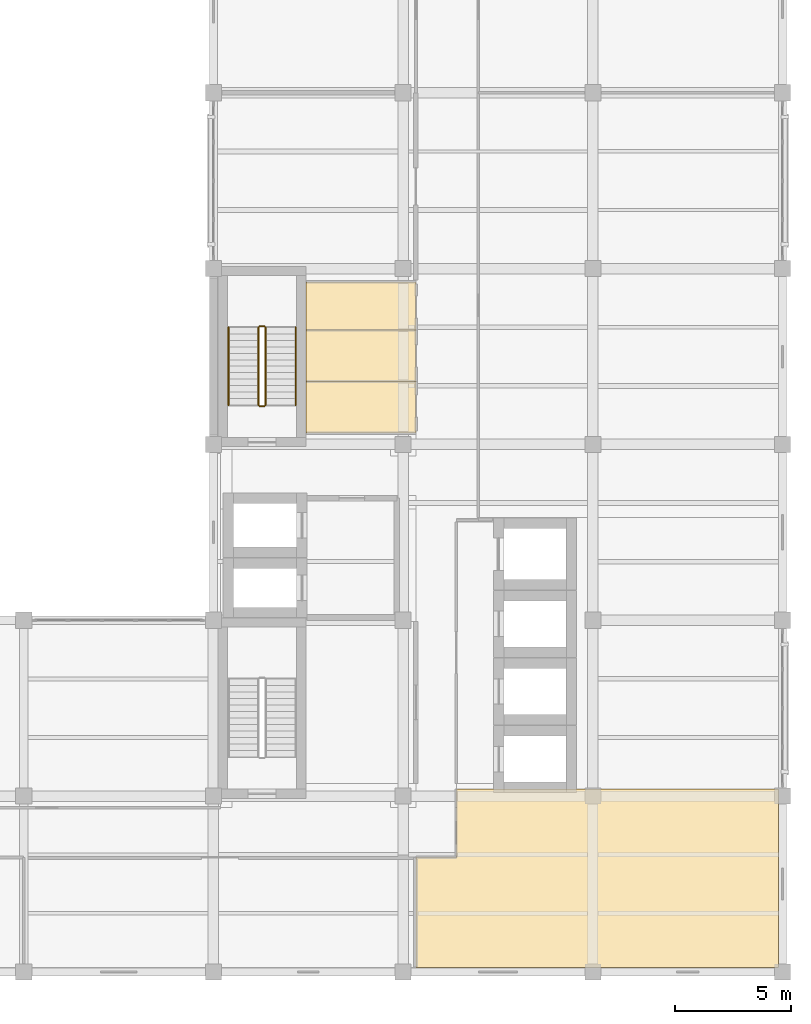
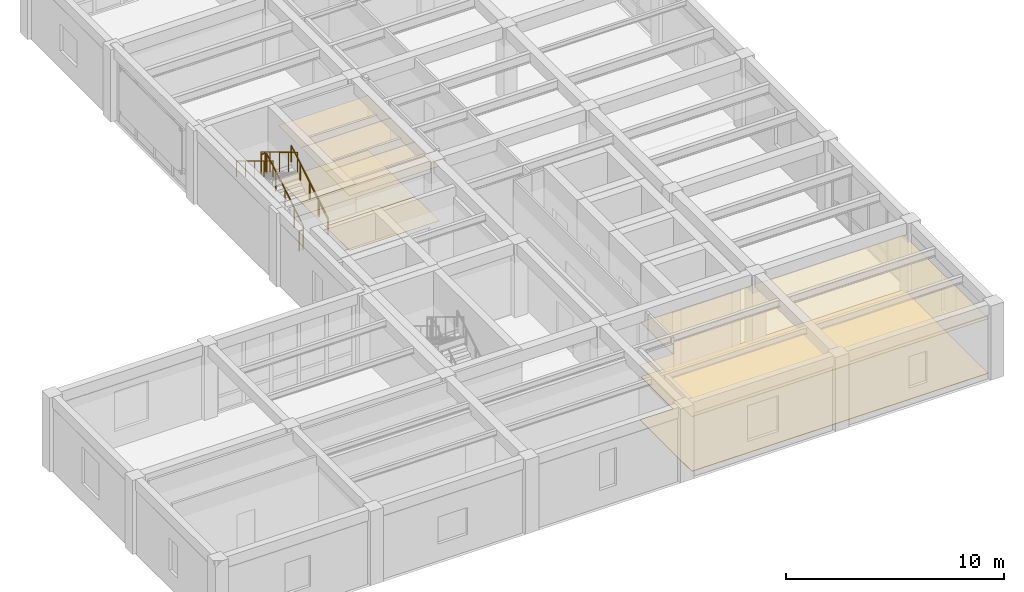
# One storey, part 12 of 13: 8 coverings, 6 railings.
"""IFC4 building model written with IfcOpenShell, lengths in metres."""

from ifc_helpers import new_model, si_unit, direction, frame, origin, origin_2d, place, context, subcontext, project, spatial, polyline, circle, outline, extrude, material, layer, layer_set, type_object, element, save


model = new_model("IFC4")

# Units and contexts
model_context = context("Model", 3, precision=1e-05, world=origin(), true_north=direction((0.0, 1.0)))
body_context = subcontext(model_context, "Body", "Model", "MODEL_VIEW")
ifc_project = project(units=[si_unit("LENGTHUNIT", "METRE"), si_unit("AREAUNIT", "SQUARE_METRE"), si_unit("VOLUMEUNIT", "CUBIC_METRE"), si_unit("PLANEANGLEUNIT", "RADIAN"), si_unit("MASSUNIT", "GRAM", prefix="KILO")], contexts=[model_context])

# Site, building, storey
site_placement = place(None, origin())
site = spatial("IfcSite", under=ifc_project, at=site_placement, CompositionType="ELEMENT")
building_placement = place(site_placement, origin())
building = spatial("IfcBuilding", under=site, at=building_placement, Name="Qandaris Square Conservatory and Botanical Centre", CompositionType="ELEMENT")
storey_placement = place(building_placement, frame((0.0, 0.0, 61.800048828125)))
storey = spatial("IfcBuildingStorey", under=building, at=storey_placement, Name="L14", CompositionType="ELEMENT", Elevation=61.800048828125)

# Coverings
ifc_material_1 = material(Name="Honed Qatari Limestone", Category="masonry")
ifc_layer_1 = layer(ifc_material_1, 0.030029296875)
ifc_layer_set_1 = layer_set([ifc_layer_1], Name="Honed Qatari Limestone")
covering_type_1 = type_object("IfcCoveringType", Name="Honed Qatari Limestone Concourse Paving", PredefinedType="FLOORING", material=ifc_layer_set_1)
covering_1_placement = place(storey_placement, origin())
element("IfcCovering", 1, at=covering_1_placement, inside=storey, type_object=covering_type_1, Name="Floor L14 Instrument and Balance Room Flooring", PredefinedType="FLOORING", context=body_context, shape_type="SweptSolid", body=[
    extrude(outline(polyline([(147.949951171875, 21.550048828125), (149.699951171875, 21.550048828125), (149.699951171875, 23.699951171875), (149.699951171875, 24.5), (163.6201171875, 24.5), (163.6201171875, 16.780029296875), (147.949951171875, 16.780029296875), (147.949951171875, 21.550048828125)])), origin(), (0.0, 0.0, 1.0), 0.030029296875),
])
ifc_material_2 = material(Name="Gypsum Plasterboard", Category="gypsum")
ifc_layer_2 = layer(ifc_material_2, 0.02490234375)
ifc_layer_set_2 = layer_set([ifc_layer_2], Name="Gypsum Plasterboard")
covering_type_2 = type_object("IfcCoveringType", Name="Perforated Acoustic Lab Ceiling Tile", PredefinedType="CEILING", material=ifc_layer_set_2)
covering_2_placement = place(storey_placement, frame((0.0, 0.0, 3.050048828125)))
element("IfcCovering", 2, at=covering_2_placement, inside=storey, type_object=covering_type_2, Name="Accessible Toilet L14 Ceiling", PredefinedType="CEILING", context=body_context, shape_type="SweptSolid", body=[
    extrude(outline(polyline([(147.949951171875, 42.1201171875), (147.949951171875, 39.89990234375), (143.199951171875, 39.89990234375), (143.199951171875, 42.1201171875), (147.949951171875, 42.1201171875)])), origin(), (0.0, 0.0, 1.0), 0.02490234375),
])
covering_3_placement = place(storey_placement, frame((0.0, 0.0, 3.050048828125)))
element("IfcCovering", 3, at=covering_3_placement, inside=storey, type_object=covering_type_2, Name="Staff Male Toilet L14 Ceiling", PredefinedType="CEILING", context=body_context, shape_type="SweptSolid", body=[
    extrude(outline(polyline([(147.949951171875, 44.340087890625), (147.949951171875, 42.1201171875), (143.199951171875, 42.1201171875), (143.199951171875, 44.340087890625), (147.949951171875, 44.340087890625)])), origin(), (0.0, 0.0, 1.0), 0.02490234375),
])
covering_4_placement = place(storey_placement, frame((0.0, 0.0, 3.050048828125)))
element("IfcCovering", 4, at=covering_4_placement, inside=storey, type_object=covering_type_2, Name="Staff Female Toilet L14 Ceiling", PredefinedType="CEILING", context=body_context, shape_type="SweptSolid", body=[
    extrude(outline(polyline([(147.949951171875, 46.419921875), (147.949951171875, 44.340087890625), (143.199951171875, 44.340087890625), (143.199951171875, 46.419921875), (147.949951171875, 46.419921875)])), origin(), (0.0, 0.0, 1.0), 0.02490234375),
])
ifc_material_3 = material(Name="Epoxy Resin Screed", Category="finish")
ifc_layer_3 = layer(ifc_material_3, 0.014892578125)
ifc_layer_set_3 = layer_set([ifc_layer_3], Name="Epoxy Resin Screed")
covering_type_3 = type_object("IfcCoveringType", Name="Seamless Epoxy Laboratory Flooring", PredefinedType="FLOORING", material=ifc_layer_set_3)
covering_5_placement = place(storey_placement, origin())
element("IfcCovering", 5, at=covering_5_placement, inside=storey, type_object=covering_type_3, Name="Accessible Toilet L14 Flooring", PredefinedType="FLOORING", context=body_context, shape_type="SweptSolid", body=[
    extrude(outline(polyline([(147.949951171875, 42.1201171875), (147.949951171875, 39.89990234375), (143.199951171875, 39.89990234375), (143.199951171875, 42.1201171875), (147.949951171875, 42.1201171875)])), origin(), (0.0, 0.0, 1.0), 0.014892578125),
])
covering_6_placement = place(storey_placement, origin())
element("IfcCovering", 6, at=covering_6_placement, inside=storey, type_object=covering_type_3, Name="Staff Male Toilet L14 Flooring", PredefinedType="FLOORING", context=body_context, shape_type="SweptSolid", body=[
    extrude(outline(polyline([(147.949951171875, 44.340087890625), (147.949951171875, 42.1201171875), (143.199951171875, 42.1201171875), (143.199951171875, 44.340087890625), (147.949951171875, 44.340087890625)])), origin(), (0.0, 0.0, 1.0), 0.014892578125),
])
covering_7_placement = place(storey_placement, origin())
element("IfcCovering", 7, at=covering_7_placement, inside=storey, type_object=covering_type_3, Name="Staff Female Toilet L14 Flooring", PredefinedType="FLOORING", context=body_context, shape_type="SweptSolid", body=[
    extrude(outline(polyline([(147.949951171875, 46.419921875), (147.949951171875, 44.340087890625), (143.199951171875, 44.340087890625), (143.199951171875, 46.419921875), (147.949951171875, 46.419921875)])), origin(), (0.0, 0.0, 1.0), 0.014892578125),
])
ifc_material_4 = material(Name="Engineered Oak Timber", Category="wood")
ifc_layer_4 = layer(ifc_material_4, 0.0400390625)
ifc_layer_set_4 = layer_set([ifc_layer_4], Name="Engineered Oak Timber")
covering_type_4 = type_object("IfcCoveringType", Name="Slatted Oak Acoustic Gallery Ceiling", PredefinedType="CEILING", material=ifc_layer_set_4)
covering_8_placement = place(storey_placement, frame((0.0, 0.0, 3.050048828125)))
element("IfcCovering", 8, at=covering_8_placement, inside=storey, type_object=covering_type_4, Name="Floor L14 Instrument and Balance Room Ceiling", PredefinedType="CEILING", context=body_context, shape_type="SweptSolid", body=[
    extrude(outline(polyline([(147.949951171875, 21.550048828125), (149.699951171875, 21.550048828125), (149.699951171875, 23.699951171875), (149.699951171875, 24.5), (163.6201171875, 24.5), (163.6201171875, 16.780029296875), (147.949951171875, 16.780029296875), (147.949951171875, 21.550048828125)])), origin(), (0.0, 0.0, 1.0), 0.039794921875),
])

# Railings
ifc_material_5 = material(Name="Stainless Steel", Category="steel")
railing_type_1 = type_object("IfcRailingType", Name="Stair Tubular Handrail 920mm", PredefinedType="HANDRAIL", material=ifc_material_5)
railing_1_placement = place(storey_placement, frame((142.75, 41.10009765625, 0.33837890625)))
element("IfcRailing", 9, at=railing_1_placement, inside=storey, type_object=railing_type_1, Name="L14 ST-2 stair handrail 1", PredefinedType="HANDRAIL", context=body_context, shape_type="SweptSolid", body=[
    extrude(circle(Radius=0.02392578125, at=origin_2d()), frame((0.0, 0.0, 0.89599609375), z_axis=(0.0, 0.855820338506, 0.51727318527), x_axis=(-1.0, 0.0, 0.0)), (0.0, 0.0, 1.0), 3.92578125),
    extrude(circle(Radius=0.02099609375, at=origin_2d()), origin(), (0.0, 0.0, 1.0), 0.871826171875),
    extrude(circle(Radius=0.02099609375, at=origin_2d()), frame((0.0, 0.83984375, 0.5078125)), (0.0, 0.0, 1.0), 0.871826171875),
    extrude(circle(Radius=0.02099609375, at=origin_2d()), frame((0.0, 1.679931640625, 1.015380859375)), (0.0, 0.0, 1.0), 0.871826171875),
    extrude(circle(Radius=0.02099609375, at=origin_2d()), frame((0.0, 2.52001953125, 1.52294921875)), (0.0, 0.0, 1.0), 0.871826171875),
    extrude(circle(Radius=0.02099609375, at=origin_2d()), frame((0.0, 3.35986328125, 2.03076171875)), (0.0, 0.0, 1.0), 0.871826171875),
])
railing_2_placement = place(storey_placement, frame((139.85009765625, 44.4599609375, 2.538330078125)))
element("IfcRailing", 10, at=railing_2_placement, inside=storey, type_object=railing_type_1, Name="L14 ST-2 stair handrail 2", PredefinedType="HANDRAIL", context=body_context, shape_type="SweptSolid", body=[
    extrude(circle(Radius=0.02392578125, at=origin_2d()), frame((0.0, 0.0, 0.89599609375), z_axis=(0.0, -0.855820338506, 0.51727318527), x_axis=(1.0, 0.0, 0.0)), (0.0, 0.0, 1.0), 3.92578125),
    extrude(circle(Radius=0.02099609375, at=origin_2d()), origin(), (0.0, 0.0, 1.0), 0.871826171875),
    extrude(circle(Radius=0.02099609375, at=origin_2d()), frame((0.0, -0.83984375, 0.5078125)), (0.0, 0.0, 1.0), 0.871826171875),
    extrude(circle(Radius=0.02099609375, at=origin_2d()), frame((0.0, -1.679931640625, 1.015380859375)), (0.0, 0.0, 1.0), 0.871826171875),
    extrude(circle(Radius=0.02099609375, at=origin_2d()), frame((0.0, -2.52001953125, 1.52294921875)), (0.0, 0.0, 1.0), 0.871826171875),
    extrude(circle(Radius=0.02099609375, at=origin_2d()), frame((0.0, -3.35986328125, 2.03076171875)), (0.0, 0.0, 1.0), 0.871826171875),
])
railing_type_2 = type_object("IfcRailingType", Name="Stairwell & Atrium Guardrail 1120mm", PredefinedType="GUARDRAIL", material=ifc_material_5)
railing_3_placement = place(storey_placement, frame((141.449951171875, 41.10009765625, 0.169189453125)))
element("IfcRailing", 11, at=railing_3_placement, inside=storey, type_object=railing_type_2, Name="L14 ST-2 stair guard 1", PredefinedType="GUARDRAIL", context=body_context, shape_type="SweptSolid", body=[
    extrude(circle(Radius=0.02392578125, at=origin_2d()), frame((0.0, 0.0, 1.09619140625), z_axis=(0.0, 0.855820338506, 0.51727318527), x_axis=(-1.0, 0.0, 0.0)), (0.0, 0.0, 1.0), 3.92578125),
    extrude(circle(Radius=0.02099609375, at=origin_2d()), origin(), (0.0, 0.0, 1.0), 1.072021484375),
    extrude(circle(Radius=0.02099609375, at=origin_2d()), frame((0.0, 0.83984375, 0.5078125)), (0.0, 0.0, 1.0), 1.072021484375),
    extrude(circle(Radius=0.02099609375, at=origin_2d()), frame((0.0, 1.679931640625, 1.015380859375)), (0.0, 0.0, 1.0), 1.072021484375),
    extrude(circle(Radius=0.02099609375, at=origin_2d()), frame((0.0, 2.52001953125, 1.52294921875)), (0.0, 0.0, 1.0), 1.072021484375),
    extrude(circle(Radius=0.02099609375, at=origin_2d()), frame((0.0, 3.35986328125, 2.03076171875)), (0.0, 0.0, 1.0), 1.072021484375),
])
railing_4_placement = place(storey_placement, frame((141.39990234375, 44.510009765625, 2.199951171875)))
element("IfcRailing", 12, at=railing_4_placement, inside=storey, type_object=railing_type_2, Name="L14 ST-2 stair guard 2", PredefinedType="GUARDRAIL", context=body_context, shape_type="SweptSolid", body=[
    extrude(circle(Radius=0.02392578125, at=origin_2d()), frame((0.0, 0.0, 1.09619140625), z_axis=(-1.0, 0.0, 0.0), x_axis=(0.0, -1.0, 0.0)), (0.0, 0.0, 1.0), 0.199951171875),
    extrude(circle(Radius=0.02099609375, at=origin_2d()), origin(), (0.0, 0.0, 1.0), 1.072021484375),
    extrude(circle(Radius=0.02099609375, at=origin_2d()), frame((-0.199951171875, 0.0, 0.0)), (0.0, 0.0, 1.0), 1.072021484375),
])
railing_5_placement = place(storey_placement, frame((141.14990234375, 44.4599609375, 2.369140625)))
element("IfcRailing", 13, at=railing_5_placement, inside=storey, type_object=railing_type_2, Name="L14 ST-2 stair guard 3", PredefinedType="GUARDRAIL", context=body_context, shape_type="SweptSolid", body=[
    extrude(circle(Radius=0.02392578125, at=origin_2d()), frame((0.0, 0.0, 1.09619140625), z_axis=(0.0, -0.855820338506, 0.51727318527), x_axis=(1.0, 0.0, 0.0)), (0.0, 0.0, 1.0), 3.92578125),
    extrude(circle(Radius=0.02099609375, at=origin_2d()), origin(), (0.0, 0.0, 1.0), 1.072021484375),
    extrude(circle(Radius=0.02099609375, at=origin_2d()), frame((0.0, -0.83984375, 0.5078125)), (0.0, 0.0, 1.0), 1.072021484375),
    extrude(circle(Radius=0.02099609375, at=origin_2d()), frame((0.0, -1.679931640625, 1.015380859375)), (0.0, 0.0, 1.0), 1.072021484375),
    extrude(circle(Radius=0.02099609375, at=origin_2d()), frame((0.0, -2.52001953125, 1.52294921875)), (0.0, 0.0, 1.0), 1.072021484375),
    extrude(circle(Radius=0.02099609375, at=origin_2d()), frame((0.0, -3.35986328125, 2.03076171875)), (0.0, 0.0, 1.0), 1.072021484375),
])
railing_6_placement = place(storey_placement, frame((141.39990234375, 41.050048828125, 0.0)))
element("IfcRailing", 14, at=railing_6_placement, inside=storey, type_object=railing_type_2, Name="L14 ST-2 stair guard 4", PredefinedType="GUARDRAIL", context=body_context, shape_type="SweptSolid", body=[
    extrude(circle(Radius=0.02392578125, at=origin_2d()), frame((0.0, 0.0, 1.09619140625), z_axis=(-1.0, 0.0, 0.0), x_axis=(0.0, -1.0, 0.0)), (0.0, 0.0, 1.0), 0.199951171875),
    extrude(circle(Radius=0.02099609375, at=origin_2d()), origin(), (0.0, 0.0, 1.0), 1.072021484375),
    extrude(circle(Radius=0.02099609375, at=origin_2d()), frame((-0.199951171875, 0.0, 0.0)), (0.0, 0.0, 1.0), 1.072021484375),
])

save(model, "model.ifc")
